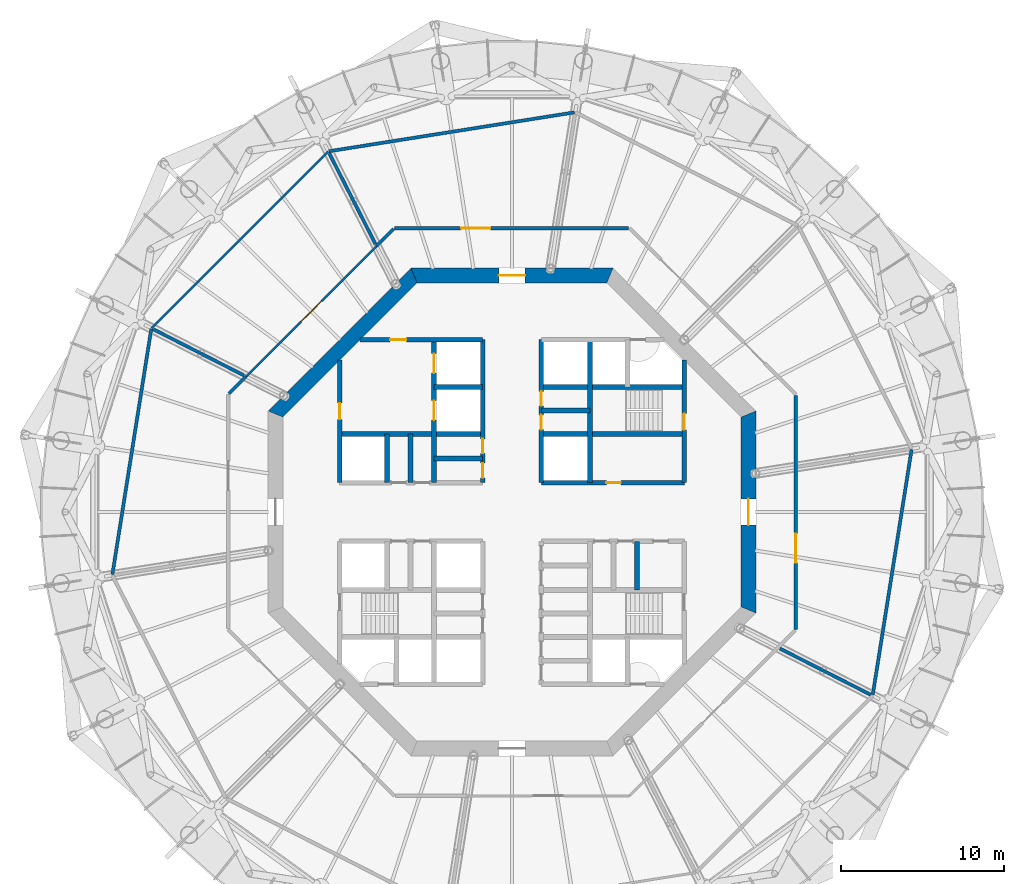
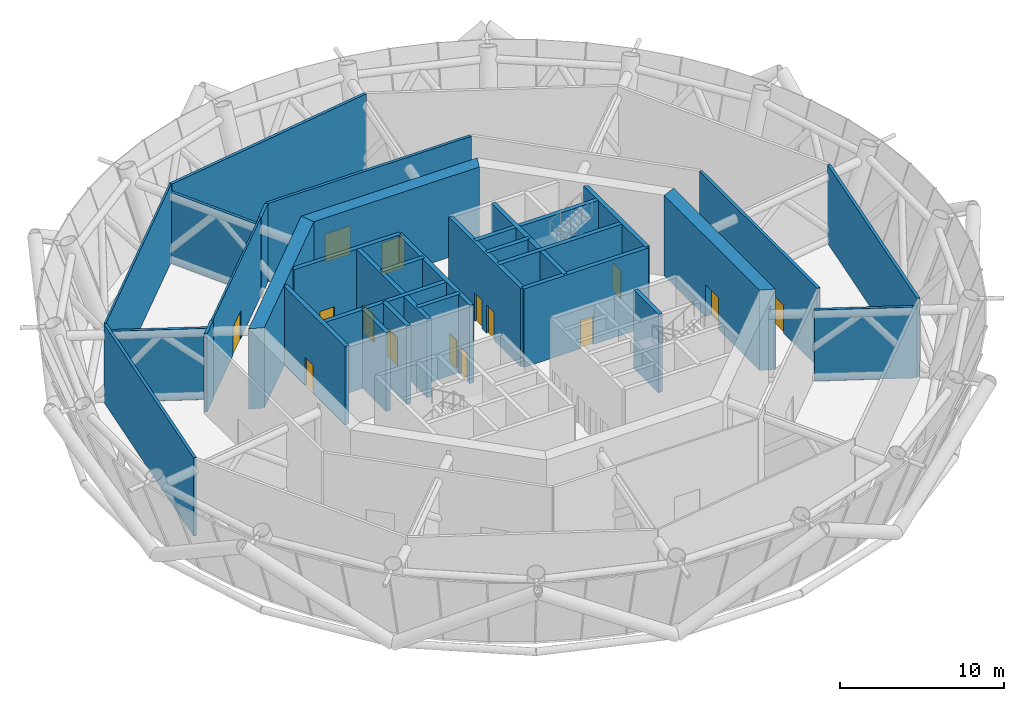
# One storey, part 9 of 15: 32 walls, 15 doors, 15 openings.
"""IFC4 building model written with IfcOpenShell, lengths in metres."""

from ifc_helpers import new_model, si_unit, direction, frame, frame_2d, origin, place, context, subcontext, project, spatial, polyline, rectangle, outline, extrude, material, layer, layer_set, type_object, element, fill, save


model = new_model("IFC4")

# Units and contexts
model_context = context("Model", 3, precision=1e-05, world=origin(), true_north=direction((0.0, 1.0)))
body_context = subcontext(model_context, "Body", "Model", "MODEL_VIEW")
ifc_project = project(units=[si_unit("LENGTHUNIT", "METRE"), si_unit("AREAUNIT", "SQUARE_METRE"), si_unit("VOLUMEUNIT", "CUBIC_METRE"), si_unit("PLANEANGLEUNIT", "RADIAN"), si_unit("MASSUNIT", "GRAM", prefix="KILO")], contexts=[model_context])

# Site, building, storey
site_placement = place(None, origin())
site = spatial("IfcSite", under=ifc_project, at=site_placement, CompositionType="ELEMENT")
building_placement = place(site_placement, origin())
building = spatial("IfcBuilding", under=site, at=building_placement, Name="Entoto Ring Tower", CompositionType="ELEMENT")
storey_placement = place(building_placement, frame((0.0, 0.0, 268.0)))
storey = spatial("IfcBuildingStorey", under=building, at=storey_placement, Name="L61", CompositionType="ELEMENT", Elevation=268.0)

# Wall, opening, door
ifc_material_1 = material(Name="Concrete C40/50", Category="concrete")
ifc_layer_1 = layer(ifc_material_1, 0.300048828125)
ifc_layer_set_1 = layer_set([ifc_layer_1], Name="Concrete C40/50")
wall_type_1 = type_object("IfcWallType", Name="Core enclosure wall 300 mm reinforced concrete", PredefinedType="SOLIDWALL", material=ifc_layer_set_1)
wall_1_placement = place(storey_placement, frame((100.60009765625, 81.800048828125, 0.0), z_axis=(0.0, 0.0, 1.0), x_axis=(0.0, 1.0, 0.0)))
wall_1 = element("IfcWall", 1, at=wall_1_placement, inside=storey, type_object=wall_type_1, Name="wall-L61-002", PredefinedType="SOLIDWALL", context=body_context, shape_type="SweptSolid", body=[
    extrude(rectangle(XDim=7.540283203125, YDim=0.300048828125, at=frame_2d((3.77001953125, 0.0))), origin(), (0.0, 0.0, 1.0), 5.85009765625),
])
opening_1_placement = place(wall_1_placement, frame((3.25, 0.0, 0.0)))
opening_1 = element("IfcOpeningElement", 2, at=opening_1_placement, cuts=wall_1, Name="Opening K-76", PredefinedType="OPENING", context=body_context, shape_type="SweptSolid", body=[
    extrude(rectangle(XDim=1.0, YDim=2.10009765625, at=frame_2d((0.5, 1.050048828125))), frame((0.0, 0.16015625, 0.0), z_axis=(0.0, -1.0, 0.0), x_axis=(1.0, 0.0, 0.0)), (0.0, 0.0, 1.0), 0.320068359375),
])
ifc_material_2 = material(Name="Steel door leaf, fire rated", Category="steel")
ifc_layer_2 = layer(ifc_material_2, 0.050048828125)
ifc_layer_set_2 = layer_set([ifc_layer_2], Name="Steel door leaf, fire rated")
door_type_1 = type_object("IfcDoorType", Name="Fire door FD60 1000 x 2100 single leaf", OperationType="NOTDEFINED", PredefinedType="DOOR", material=ifc_layer_set_2)
door_1_placement = place(opening_1_placement, origin())
door_1 = element("IfcDoor", 3, at=door_1_placement, inside=storey, type_object=door_type_1, Name="Door K-76", OperationType="SINGLE_SWING_RIGHT", OverallHeight=2.10009765625, OverallWidth=1.0, PredefinedType="DOOR", context=body_context, shape_type="SweptSolid", body=[
    extrude(rectangle(XDim=1.0, YDim=2.10009765625, at=frame_2d((0.5, 1.050048828125))), frame((0.0, 0.02490234375, 0.0), z_axis=(0.0, -1.0, 0.0), x_axis=(1.0, 0.0, 0.0)), (0.0, 0.0, 1.0), 0.050048828125),
])
fill(opening_1, door_1)

# Walls
wall_2_placement = place(storey_placement, frame((97.699951171875, 75.199951171875, 0.0), z_axis=(0.0, 0.0, 1.0), x_axis=(0.0, 1.0, 0.0)))
element("IfcWall", 4, at=wall_2_placement, inside=storey, type_object=wall_type_1, Name="wall-L61-003", PredefinedType="SOLIDWALL", context=body_context, shape_type="SweptSolid", body=[
    extrude(rectangle(XDim=3.0, YDim=0.300048828125, at=frame_2d((1.5, 0.0))), origin(), (0.0, 0.0, 1.0), 5.85009765625),
])
wall_3_placement = place(storey_placement, frame((94.800048828125, 81.800048828125, 0.0), z_axis=(0.0, 0.0, 1.0), x_axis=(0.0, 1.0, 0.0)))
element("IfcWall", 5, at=wall_3_placement, inside=storey, type_object=wall_type_1, Name="wall-L61-008", PredefinedType="SOLIDWALL", context=body_context, shape_type="SweptSolid", body=[
    extrude(rectangle(XDim=8.800048828125, YDim=0.300048828125, at=frame_2d((4.39990234375, 0.0))), origin(), (0.0, 0.0, 1.0), 5.85009765625),
])

# Wall, openings, doors
wall_4_placement = place(storey_placement, frame((91.800048828125, 81.800048828125, 0.0), z_axis=(0.0, 0.0, 1.0), x_axis=(0.0, 1.0, 0.0)))
wall_4 = element("IfcWall", 6, at=wall_4_placement, inside=storey, type_object=wall_type_1, Name="wall-L61-010", PredefinedType="SOLIDWALL", context=body_context, shape_type="SweptSolid", body=[
    extrude(rectangle(XDim=8.800048828125, YDim=0.300048828125, at=frame_2d((4.39990234375, 0.0))), origin(), (0.0, 0.0, 1.0), 5.85009765625),
])
opening_2_placement = place(wall_4_placement, frame((3.27490234375, 0.0, 0.0)))
opening_2 = element("IfcOpeningElement", 7, at=opening_2_placement, cuts=wall_4, Name="Opening K-46", PredefinedType="OPENING", context=body_context, shape_type="SweptSolid", body=[
    extrude(rectangle(XDim=0.89990234375, YDim=2.10009765625, at=frame_2d((0.449951171875, 1.050048828125))), frame((0.0, 0.16015625, 0.0), z_axis=(0.0, -1.0, 0.0), x_axis=(1.0, 0.0, 0.0)), (0.0, 0.0, 1.0), 0.320068359375),
])
opening_3_placement = place(wall_4_placement, frame((4.72509765625, 0.0, 0.0)))
opening_3 = element("IfcOpeningElement", 8, at=opening_3_placement, cuts=wall_4, Name="Opening K-14", PredefinedType="OPENING", context=body_context, shape_type="SweptSolid", body=[
    extrude(rectangle(XDim=0.89990234375, YDim=2.10009765625, at=frame_2d((0.449951171875, 1.050048828125))), frame((0.0, 0.16015625, 0.0), z_axis=(0.0, -1.0, 0.0), x_axis=(1.0, 0.0, 0.0)), (0.0, 0.0, 1.0), 0.320068359375),
])
ifc_material_3 = material(Name="Steel door leaf, fire rated", Category="steel")
ifc_layer_3 = layer(ifc_material_3, 0.050048828125)
ifc_layer_set_3 = layer_set([ifc_layer_3], Name="Steel door leaf, fire rated")
door_type_2 = type_object("IfcDoorType", Name="Core door 900 x 2100 single leaf", OperationType="NOTDEFINED", PredefinedType="DOOR", material=ifc_layer_set_3)
door_2_placement = place(opening_2_placement, origin())
door_2 = element("IfcDoor", 9, at=door_2_placement, inside=storey, type_object=door_type_2, Name="Door K-46", OperationType="SINGLE_SWING_RIGHT", OverallHeight=2.10009765625, OverallWidth=0.89990234375, PredefinedType="DOOR", context=body_context, shape_type="SweptSolid", body=[
    extrude(rectangle(XDim=0.89990234375, YDim=2.10009765625, at=frame_2d((0.449951171875, 1.050048828125))), frame((0.0, 0.02490234375, 0.0), z_axis=(0.0, -1.0, 0.0), x_axis=(1.0, 0.0, 0.0)), (0.0, 0.0, 1.0), 0.050048828125),
])
fill(opening_2, door_2)
door_3_placement = place(opening_3_placement, origin())
door_3 = element("IfcDoor", 10, at=door_3_placement, inside=storey, type_object=door_type_2, Name="Door K-14", OperationType="SINGLE_SWING_RIGHT", OverallHeight=2.10009765625, OverallWidth=0.89990234375, PredefinedType="DOOR", context=body_context, shape_type="SweptSolid", body=[
    extrude(rectangle(XDim=0.89990234375, YDim=2.10009765625, at=frame_2d((0.449951171875, 1.050048828125))), frame((0.0, 0.02490234375, 0.0), z_axis=(0.0, -1.0, 0.0), x_axis=(1.0, 0.0, 0.0)), (0.0, 0.0, 1.0), 0.050048828125),
])
fill(opening_3, door_3)

wall_5_placement = place(storey_placement, frame((88.199951171875, 81.800048828125, 0.0), z_axis=(0.0, 0.0, 1.0), x_axis=(0.0, 1.0, 0.0)))
wall_5 = element("IfcWall", 11, at=wall_5_placement, inside=storey, type_object=wall_type_1, Name="wall-L61-012", PredefinedType="SOLIDWALL", context=body_context, shape_type="SweptSolid", body=[
    extrude(rectangle(XDim=8.800048828125, YDim=0.300048828125, at=frame_2d((4.39990234375, 0.0))), origin(), (0.0, 0.0, 1.0), 5.85009765625),
])
opening_4_placement = place(wall_5_placement, frame((0.300048828125, 0.0, 0.0)))
opening_4 = element("IfcOpeningElement", 12, at=opening_4_placement, cuts=wall_5, Name="Opening K-21", PredefinedType="OPENING", context=body_context, shape_type="SweptSolid", body=[
    extrude(rectangle(XDim=0.89990234375, YDim=2.10009765625, at=frame_2d((0.449951171875, 1.050048828125))), frame((0.0, 0.16015625, 0.0), z_axis=(0.0, -1.0, 0.0), x_axis=(1.0, 0.0, 0.0)), (0.0, 0.0, 1.0), 0.320068359375),
])
opening_5_placement = place(wall_5_placement, frame((1.800048828125, 0.0, 0.0)))
opening_5 = element("IfcOpeningElement", 13, at=opening_5_placement, cuts=wall_5, Name="Opening K-69", PredefinedType="OPENING", context=body_context, shape_type="SweptSolid", body=[
    extrude(rectangle(XDim=0.89990234375, YDim=2.10009765625, at=frame_2d((0.449951171875, 1.050048828125))), frame((0.0, 0.16015625, 0.0), z_axis=(0.0, -1.0, 0.0), x_axis=(1.0, 0.0, 0.0)), (0.0, 0.0, 1.0), 0.320068359375),
])
door_4_placement = place(opening_4_placement, origin())
door_4 = element("IfcDoor", 14, at=door_4_placement, inside=storey, type_object=door_type_2, Name="Door K-21", OperationType="SINGLE_SWING_LEFT", OverallHeight=2.10009765625, OverallWidth=0.89990234375, PredefinedType="DOOR", context=body_context, shape_type="SweptSolid", body=[
    extrude(rectangle(XDim=0.89990234375, YDim=2.10009765625, at=frame_2d((0.449951171875, 1.050048828125))), frame((0.0, 0.02490234375, 0.0), z_axis=(0.0, -1.0, 0.0), x_axis=(1.0, 0.0, 0.0)), (0.0, 0.0, 1.0), 0.050048828125),
])
fill(opening_4, door_4)
door_5_placement = place(opening_5_placement, frame((0.89990234375, 0.0, 0.0), z_axis=(0.0, 0.0, 1.0), x_axis=(-1.0, 0.0, 0.0)))
door_5 = element("IfcDoor", 15, at=door_5_placement, inside=storey, type_object=door_type_2, Name="Door K-69", OperationType="SINGLE_SWING_LEFT", OverallHeight=2.10009765625, OverallWidth=0.89990234375, PredefinedType="DOOR", context=body_context, shape_type="SweptSolid", body=[
    extrude(rectangle(XDim=0.89990234375, YDim=2.10009765625, at=frame_2d((0.449951171875, 1.050048828125))), frame((0.0, 0.02490234375, 0.0), z_axis=(0.0, -1.0, 0.0), x_axis=(1.0, 0.0, 0.0)), (0.0, 0.0, 1.0), 0.050048828125),
])
fill(opening_5, door_5)

wall_6_placement = place(storey_placement, frame((85.199951171875, 81.800048828125, 0.0), z_axis=(0.0, 0.0, 1.0), x_axis=(0.0, 1.0, 0.0)))
wall_6 = element("IfcWall", 16, at=wall_6_placement, inside=storey, type_object=wall_type_1, Name="wall-L61-014", PredefinedType="SOLIDWALL", context=body_context, shape_type="SweptSolid", body=[
    extrude(rectangle(XDim=8.800048828125, YDim=0.300048828125, at=frame_2d((4.39990234375, 0.0))), origin(), (0.0, 0.0, 1.0), 5.85009765625),
])
opening_6_placement = place(wall_6_placement, frame((3.85009765625, 0.0, 0.0)))
opening_6 = element("IfcOpeningElement", 17, at=opening_6_placement, cuts=wall_6, Name="Opening LD", PredefinedType="OPENING", context=body_context, shape_type="SweptSolid", body=[
    extrude(rectangle(XDim=1.199951171875, YDim=2.10009765625, at=frame_2d((0.60009765625, 1.050048828125))), frame((0.0, 0.16015625, 0.0), z_axis=(0.0, -1.0, 0.0), x_axis=(1.0, 0.0, 0.0)), (0.0, 0.0, 1.0), 0.320068359375),
])
opening_7_placement = place(wall_6_placement, frame((6.75, 0.0, 0.0)))
opening_7 = element("IfcOpeningElement", 18, at=opening_7_placement, cuts=wall_6, Name="Opening LD", PredefinedType="OPENING", context=body_context, shape_type="SweptSolid", body=[
    extrude(rectangle(XDim=1.199951171875, YDim=2.10009765625, at=frame_2d((0.60009765625, 1.050048828125))), frame((0.0, 0.16015625, 0.0), z_axis=(0.0, -1.0, 0.0), x_axis=(1.0, 0.0, 0.0)), (0.0, 0.0, 1.0), 0.320068359375),
])
ifc_material_4 = material(Name="Steel and glass door leaf", Category="steel")
ifc_layer_4 = layer(ifc_material_4, 0.050048828125)
ifc_layer_set_4 = layer_set([ifc_layer_4], Name="Steel and glass door leaf")
door_type_3 = type_object("IfcDoorType", Name="Landing door 1200 x 2100 sliding", OperationType="DOUBLE_DOOR_SLIDING", PredefinedType="DOOR", material=ifc_layer_set_4)
door_6_placement = place(opening_6_placement, origin())
door_6 = element("IfcDoor", 19, at=door_6_placement, inside=storey, type_object=door_type_3, Name="Landing door FF1", OperationType="SLIDING_TO_RIGHT", OverallHeight=2.10009765625, OverallWidth=1.199951171875, PredefinedType="DOOR", context=body_context, shape_type="SweptSolid", body=[
    extrude(rectangle(XDim=1.199951171875, YDim=2.10009765625, at=frame_2d((0.60009765625, 1.050048828125))), frame((0.0, 0.02490234375, 0.0), z_axis=(0.0, -1.0, 0.0), x_axis=(1.0, 0.0, 0.0)), (0.0, 0.0, 1.0), 0.050048828125),
])
fill(opening_6, door_6)
door_7_placement = place(opening_7_placement, origin())
door_7 = element("IfcDoor", 20, at=door_7_placement, inside=storey, type_object=door_type_3, Name="Landing door FF2", OperationType="SLIDING_TO_RIGHT", OverallHeight=2.10009765625, OverallWidth=1.199951171875, PredefinedType="DOOR", context=body_context, shape_type="SweptSolid", body=[
    extrude(rectangle(XDim=1.199951171875, YDim=2.10009765625, at=frame_2d((0.60009765625, 1.050048828125))), frame((0.0, 0.02490234375, 0.0), z_axis=(0.0, -1.0, 0.0), x_axis=(1.0, 0.0, 0.0)), (0.0, 0.0, 1.0), 0.050048828125),
])
fill(opening_7, door_7)

# Walls
for number, where, z_axis, x_axis, name in (
    (21, (83.75, 81.800048828125, 0.0), (0.0, 0.0, 1.0), (0.0, 1.0, 0.0), "wall-L61-016"),
    (22, (82.300048828125, 81.800048828125, 0.0), (0.0, 0.0, 1.0), (0.0, 1.0, 0.0), "wall-L61-019"),
):
    element("IfcWall", number, at=place(storey_placement, frame(where, z_axis=z_axis, x_axis=x_axis)), inside=storey, type_object=wall_type_1, Name=name, PredefinedType="SOLIDWALL", context=body_context, shape_type="SweptSolid", body=[
        extrude(rectangle(XDim=3.0, YDim=0.300048828125, at=frame_2d((1.5, 0.0))), origin(), (0.0, 0.0, 1.0), 5.85009765625),
    ])

# Wall, opening, door
wall_7_placement = place(storey_placement, frame((79.39990234375, 81.800048828125, 0.0), z_axis=(0.0, 0.0, 1.0), x_axis=(0.0, 1.0, 0.0)))
wall_7 = element("IfcWall", 23, at=wall_7_placement, inside=storey, type_object=wall_type_1, Name="wall-L61-021", PredefinedType="SOLIDWALL", context=body_context, shape_type="SweptSolid", body=[
    extrude(rectangle(XDim=7.540283203125, YDim=0.300048828125, at=frame_2d((3.77001953125, 0.0))), origin(), (0.0, 0.0, 1.0), 5.85009765625),
])
opening_8_placement = place(wall_7_placement, frame((3.89990234375, 0.0, 0.0)))
opening_8 = element("IfcOpeningElement", 24, at=opening_8_placement, cuts=wall_7, Name="Opening K-31", PredefinedType="OPENING", context=body_context, shape_type="SweptSolid", body=[
    extrude(rectangle(XDim=1.0, YDim=2.10009765625, at=frame_2d((0.5, 1.050048828125))), frame((0.0, 0.16015625, 0.0), z_axis=(0.0, -1.0, 0.0), x_axis=(1.0, 0.0, 0.0)), (0.0, 0.0, 1.0), 0.320068359375),
])
door_8_placement = place(opening_8_placement, frame((1.0, 0.0, 0.0), z_axis=(0.0, 0.0, 1.0), x_axis=(-1.0, 0.0, 0.0)))
door_8 = element("IfcDoor", 25, at=door_8_placement, inside=storey, type_object=door_type_1, Name="Door K-31", OperationType="SINGLE_SWING_LEFT", OverallHeight=2.10009765625, OverallWidth=1.0, PredefinedType="DOOR", context=body_context, shape_type="SweptSolid", body=[
    extrude(rectangle(XDim=1.0, YDim=2.10009765625, at=frame_2d((0.5, 1.050048828125))), frame((0.0, 0.02490234375, 0.0), z_axis=(0.0, -1.0, 0.0), x_axis=(1.0, 0.0, 0.0)), (0.0, 0.0, 1.0), 0.050048828125),
])
fill(opening_8, door_8)

wall_8_placement = place(storey_placement, frame((91.800048828125, 81.800048828125, 0.0), z_axis=(0.0, 0.0, 1.0), x_axis=(1.0, 0.0, 0.0)))
wall_8 = element("IfcWall", 26, at=wall_8_placement, inside=storey, type_object=wall_type_1, Name="wall-L61-035", PredefinedType="SOLIDWALL", context=body_context, shape_type="SweptSolid", body=[
    extrude(rectangle(XDim=8.800048828125, YDim=0.300048828125, at=frame_2d((4.39990234375, 0.0))), origin(), (0.0, 0.0, 1.0), 5.85009765625),
])
opening_9_placement = place(wall_8_placement, frame((4.0, 0.0, 0.0)))
opening_9 = element("IfcOpeningElement", 27, at=opening_9_placement, cuts=wall_8, Name="Opening K-05", PredefinedType="OPENING", context=body_context, shape_type="SweptSolid", body=[
    extrude(rectangle(XDim=0.89990234375, YDim=2.10009765625, at=frame_2d((0.449951171875, 1.050048828125))), frame((0.0, 0.16015625, 0.0), z_axis=(0.0, -1.0, 0.0), x_axis=(1.0, 0.0, 0.0)), (0.0, 0.0, 1.0), 0.320068359375),
])
door_9_placement = place(opening_9_placement, frame((0.89990234375, 0.0, 0.0), z_axis=(0.0, 0.0, 1.0), x_axis=(-1.0, 0.0, 0.0)))
door_9 = element("IfcDoor", 28, at=door_9_placement, inside=storey, type_object=door_type_2, Name="Door K-05", OperationType="SINGLE_SWING_LEFT", OverallHeight=2.10009765625, OverallWidth=0.89990234375, PredefinedType="DOOR", context=body_context, shape_type="SweptSolid", body=[
    extrude(rectangle(XDim=0.89990234375, YDim=2.10009765625, at=frame_2d((0.449951171875, 1.050048828125))), frame((0.0, 0.02490234375, 0.0), z_axis=(0.0, -1.0, 0.0), x_axis=(1.0, 0.0, 0.0)), (0.0, 0.0, 1.0), 0.050048828125),
])
fill(opening_9, door_9)

# Walls
wall_9_placement = place(storey_placement, frame((85.199951171875, 83.300048828125, 0.0), z_axis=(0.0, 0.0, 1.0), x_axis=(1.0, 0.0, 0.0)))
element("IfcWall", 29, at=wall_9_placement, inside=storey, type_object=wall_type_1, Name="wall-L61-036", PredefinedType="SOLIDWALL", context=body_context, shape_type="SweptSolid", body=[
    extrude(rectangle(XDim=3.0, YDim=0.300048828125, at=frame_2d((1.5, 0.0))), origin(), (0.0, 0.0, 1.0), 5.85009765625),
])
for number, where, z_axis, x_axis, name in (
    (30, (79.39990234375, 84.800048828125, 0.0), (0.0, 0.0, 1.0), (1.0, 0.0, 0.0), "wall-L61-037"),
    (31, (91.800048828125, 84.800048828125, 0.0), (0.0, 0.0, 1.0), (1.0, 0.0, 0.0), "wall-L61-038"),
):
    element("IfcWall", number, at=place(storey_placement, frame(where, z_axis=z_axis, x_axis=x_axis)), inside=storey, type_object=wall_type_1, Name=name, PredefinedType="SOLIDWALL", context=body_context, shape_type="SweptSolid", body=[
        extrude(rectangle(XDim=8.800048828125, YDim=0.300048828125, at=frame_2d((4.39990234375, 0.0))), origin(), (0.0, 0.0, 1.0), 5.85009765625),
    ])
for number, where, z_axis, x_axis, name in (
    (32, (91.800048828125, 86.25, 0.0), (0.0, 0.0, 1.0), (1.0, 0.0, 0.0), "wall-L61-039"),
    (33, (85.199951171875, 87.699951171875, 0.0), (0.0, 0.0, 1.0), (1.0, 0.0, 0.0), "wall-L61-040"),
):
    element("IfcWall", number, at=place(storey_placement, frame(where, z_axis=z_axis, x_axis=x_axis)), inside=storey, type_object=wall_type_1, Name=name, PredefinedType="SOLIDWALL", context=body_context, shape_type="SweptSolid", body=[
        extrude(rectangle(XDim=3.0, YDim=0.300048828125, at=frame_2d((1.5, 0.0))), origin(), (0.0, 0.0, 1.0), 5.85009765625),
    ])
wall_10_placement = place(storey_placement, frame((91.800048828125, 87.699951171875, 0.0), z_axis=(0.0, 0.0, 1.0), x_axis=(1.0, 0.0, 0.0)))
element("IfcWall", 34, at=wall_10_placement, inside=storey, type_object=wall_type_1, Name="wall-L61-041", PredefinedType="SOLIDWALL", context=body_context, shape_type="SweptSolid", body=[
    extrude(rectangle(XDim=8.800048828125, YDim=0.300048828125, at=frame_2d((4.39990234375, 0.0))), origin(), (0.0, 0.0, 1.0), 5.85009765625),
])

# Wall, opening, door
wall_11_placement = place(storey_placement, frame((80.65966796875, 90.60009765625, 0.0), z_axis=(0.0, 0.0, 1.0), x_axis=(1.0, 0.0, 0.0)))
wall_11 = element("IfcWall", 35, at=wall_11_placement, inside=storey, type_object=wall_type_1, Name="wall-L61-042", PredefinedType="SOLIDWALL", context=body_context, shape_type="SweptSolid", body=[
    extrude(rectangle(XDim=7.540283203125, YDim=0.300048828125, at=frame_2d((3.77001953125, 0.0))), origin(), (0.0, 0.0, 1.0), 5.85009765625),
])
opening_10_placement = place(wall_11_placement, frame((1.84033203125, 0.0, 0.0)))
opening_10 = element("IfcOpeningElement", 36, at=opening_10_placement, cuts=wall_11, Name="Opening K-86", PredefinedType="OPENING", context=body_context, shape_type="SweptSolid", body=[
    extrude(rectangle(XDim=1.0, YDim=2.10009765625, at=frame_2d((0.5, 1.050048828125))), frame((0.0, 0.16015625, 0.0), z_axis=(0.0, -1.0, 0.0), x_axis=(1.0, 0.0, 0.0)), (0.0, 0.0, 1.0), 0.320068359375),
])
door_10_placement = place(opening_10_placement, frame((1.0, 0.0, 0.0), z_axis=(0.0, 0.0, 1.0), x_axis=(-1.0, 0.0, 0.0)))
door_10 = element("IfcDoor", 37, at=door_10_placement, inside=storey, type_object=door_type_1, Name="Door K-86", OperationType="SINGLE_SWING_RIGHT", OverallHeight=2.10009765625, OverallWidth=1.0, PredefinedType="DOOR", context=body_context, shape_type="SweptSolid", body=[
    extrude(rectangle(XDim=1.0, YDim=2.10009765625, at=frame_2d((0.5, 1.050048828125))), frame((0.0, 0.02490234375, 0.0), z_axis=(0.0, -1.0, 0.0), x_axis=(1.0, 0.0, 0.0)), (0.0, 0.0, 1.0), 0.050048828125),
])
fill(opening_10, door_10)

ifc_material_5 = material(Name="Concrete C50/60", Category="concrete")
ifc_layer_5 = layer(ifc_material_5, 0.89990234375)
ifc_layer_set_5 = layer_set([ifc_layer_5], Name="Concrete C50/60")
wall_type_2 = type_object("IfcWallType", Name="Core shear wall 900 mm reinforced concrete C50/60", PredefinedType="SHEAR", material=ifc_layer_set_5)
wall_12_placement = place(storey_placement, frame((104.550048828125, 73.97314453125, 0.0), z_axis=(0.0, 0.0, 1.0), x_axis=(0.0, 1.0, 0.0)))
wall_12 = element("IfcWall", 38, at=wall_12_placement, inside=storey, type_object=wall_type_2, Name="wall-L61-core-0", PredefinedType="SHEAR", context=body_context, shape_type="SweptSolid", body=[
    extrude(outline(polyline([(-0.186279296875, -0.449951171875), (12.239990234375, -0.449951171875), (11.867431640625, 0.449951171875), (0.186279296875, 0.449951171875), (-0.186279296875, -0.449951171875)])), origin(), (0.0, 0.0, 1.0), 6.0),
])
opening_11_placement = place(wall_12_placement, frame((5.226806640625, 0.0, 0.0)))
opening_11 = element("IfcOpeningElement", 39, at=opening_11_placement, cuts=wall_12, Name="Opening K-01", PredefinedType="OPENING", context=body_context, shape_type="SweptSolid", body=[
    extrude(rectangle(XDim=1.60009765625, YDim=2.39990234375, at=frame_2d((0.800048828125, 1.199951171875))), frame((0.0, 0.4599609375, 0.0), z_axis=(0.0, -1.0, 0.0), x_axis=(1.0, 0.0, 0.0)), (0.0, 0.0, 1.0), 0.919921875),
])
ifc_material_6 = material(Name="Steel door leaf, fire rated", Category="steel")
ifc_layer_6 = layer(ifc_material_6, 0.050048828125)
ifc_layer_set_6 = layer_set([ifc_layer_6], Name="Steel door leaf, fire rated")
door_type_4 = type_object("IfcDoorType", Name="Entrance door FD60 1600 x 2400 double leaf", OperationType="DOUBLE_DOOR_SINGLE_SWING", PredefinedType="DOOR", material=ifc_layer_set_6)
door_11_placement = place(opening_11_placement, origin())
door_11 = element("IfcDoor", 40, at=door_11_placement, inside=storey, type_object=door_type_4, Name="Entrance door K-01", OperationType="DOUBLE_DOOR_SINGLE_SWING", OverallHeight=2.39990234375, OverallWidth=1.60009765625, PredefinedType="DOOR", context=body_context, shape_type="SweptSolid", body=[
    extrude(rectangle(XDim=1.60009765625, YDim=2.39990234375, at=frame_2d((0.800048828125, 1.199951171875))), frame((0.0, 0.02490234375, 0.0), z_axis=(0.0, -1.0, 0.0), x_axis=(1.0, 0.0, 0.0)), (0.0, 0.0, 1.0), 0.050048828125),
])
fill(opening_11, door_11)

wall_13_placement = place(storey_placement, frame((96.02685546875, 94.550048828125, 0.0), z_axis=(0.0, 0.0, 1.0), x_axis=(-1.0, 0.0, 0.0)))
wall_13 = element("IfcWall", 41, at=wall_13_placement, inside=storey, type_object=wall_type_2, Name="wall-L61-core-2", PredefinedType="SHEAR", context=body_context, shape_type="SweptSolid", body=[
    extrude(outline(polyline([(-0.186279296875, -0.449951171875), (12.239990234375, -0.449951171875), (11.867431640625, 0.449951171875), (0.186279296875, 0.449951171875), (-0.186279296875, -0.449951171875)])), origin(), (0.0, 0.0, 1.0), 6.0),
])
opening_12_placement = place(wall_13_placement, frame((5.226806640625, 0.0, 0.0)))
opening_12 = element("IfcOpeningElement", 42, at=opening_12_placement, cuts=wall_13, Name="Opening K-02", PredefinedType="OPENING", context=body_context, shape_type="SweptSolid", body=[
    extrude(rectangle(XDim=1.60009765625, YDim=2.39990234375, at=frame_2d((0.800048828125, 1.199951171875))), frame((0.0, 0.4599609375, 0.0), z_axis=(0.0, -1.0, 0.0), x_axis=(1.0, 0.0, 0.0)), (0.0, 0.0, 1.0), 0.919921875),
])
door_12_placement = place(opening_12_placement, origin())
door_12 = element("IfcDoor", 43, at=door_12_placement, inside=storey, type_object=door_type_4, Name="Entrance door K-02", OperationType="DOUBLE_DOOR_SINGLE_SWING", OverallHeight=2.39990234375, OverallWidth=1.60009765625, PredefinedType="DOOR", context=body_context, shape_type="SweptSolid", body=[
    extrude(rectangle(XDim=1.60009765625, YDim=2.39990234375, at=frame_2d((0.800048828125, 1.199951171875))), frame((0.0, 0.02490234375, 0.0), z_axis=(0.0, -1.0, 0.0), x_axis=(1.0, 0.0, 0.0)), (0.0, 0.0, 1.0), 0.050048828125),
])
fill(opening_12, door_12)

# Walls
wall_14_placement = place(storey_placement, frame((83.97314453125, 94.550048828125, 0.0), z_axis=(0.0, 0.0, 1.0), x_axis=(-0.707106781187, -0.707106781187, 0.0)))
element("IfcWall", 44, at=wall_14_placement, inside=storey, type_object=wall_type_2, Name="wall-L61-core-3", PredefinedType="SHEAR", context=body_context, shape_type="SweptSolid", body=[
    extrude(outline(polyline([(-0.186279296875, -0.449951171875), (12.239990234375, -0.449951171875), (11.867431640625, 0.449951171875), (0.186279296875, 0.449951171875), (-0.186279296875, -0.449951171875)])), origin(), (0.0, 0.0, 1.0), 6.0),
])
ifc_material_7 = material(Name="Fire-resisting plasterboard on steel studs", Category="steel")
ifc_layer_7 = layer(ifc_material_7, 0.125)
ifc_layer_set_7 = layer_set([ifc_layer_7], Name="Fire-resisting plasterboard on steel studs")
wall_type_3 = type_object("IfcWallType", Name="Corridor wall 125 mm one-hour plasterboard on steel studs", PredefinedType="PARTITIONING", material=ifc_layer_set_7)
wall_15_placement = place(storey_placement, frame((67.81396484375, 91.304443359375, 0.0), z_axis=(0.0, 0.0, 1.0), x_axis=(0.707106781187, 0.707106781187, 0.0)))
element("IfcWall", 45, at=wall_15_placement, inside=storey, type_object=wall_type_3, Name="partition-L61-001", PredefinedType="PARTITIONING", context=body_context, shape_type="SweptSolid", body=[
    extrude(rectangle(XDim=15.388916015625, YDim=0.125, at=frame_2d((7.6943359375, 0.0))), origin(), (0.0, 0.0, 1.0), 5.85009765625),
])

# Wall, opening, door
wall_16_placement = place(storey_placement, frame((73.64013671875, 88.335693359375, 0.0), z_axis=(0.0, 0.0, 1.0), x_axis=(0.707106781187, 0.707106781187, 0.0)))
wall_16 = element("IfcWall", 46, at=wall_16_placement, inside=storey, type_object=wall_type_3, Name="partition-L61-003", PredefinedType="PARTITIONING", context=body_context, shape_type="SweptSolid", body=[
    extrude(rectangle(XDim=11.347900390625, YDim=0.125, at=frame_2d((5.673828125, 0.0))), origin(), (0.0, 0.0, 1.0), 5.85009765625),
])
opening_13_placement = place(wall_16_placement, frame((4.77392578125, 0.0, 0.0)))
opening_13 = element("IfcOpeningElement", 47, at=opening_13_placement, cuts=wall_16, Name="Opening A27-D04", PredefinedType="OPENING", context=body_context, shape_type="SweptSolid", body=[
    extrude(rectangle(XDim=1.800048828125, YDim=2.10009765625, at=frame_2d((0.89990234375, 1.050048828125))), frame((0.0, 0.072509765625, 0.0), z_axis=(0.0, -1.0, 0.0), x_axis=(1.0, 0.0, 0.0)), (0.0, 0.0, 1.0), 0.14501953125),
])
ifc_material_8 = material(Name="Fire-resisting timber door set", Category="wood")
door_type_5 = type_object("IfcDoorType", Name="Door 1800 x 2100 double leaf FD30S fire door", OperationType="DOUBLE_DOOR_SINGLE_SWING", PredefinedType="DOOR", material=ifc_material_8)
door_13_placement = place(opening_13_placement, origin())
door_13 = element("IfcDoor", 48, at=door_13_placement, inside=storey, type_object=door_type_5, Name="Door A27-D04", OperationType="DOUBLE_DOOR_SINGLE_SWING", OverallHeight=2.10009765625, OverallWidth=1.800048828125, PredefinedType="DOOR", context=body_context, shape_type="SweptSolid", body=[
    extrude(rectangle(XDim=1.800048828125, YDim=2.10009765625, at=frame_2d((0.89990234375, 1.050048828125))), frame((0.0, 0.02490234375, 0.0), z_axis=(0.0, -1.0, 0.0), x_axis=(1.0, 0.0, 0.0)), (0.0, 0.0, 1.0), 0.050048828125),
])
fill(opening_13, door_13)

# Walls
ifc_material_9 = material(Name="Concrete C20/25", Category="concrete")
ifc_layer_8 = layer(ifc_material_9, 0.199951171875)
ifc_layer_set_8 = layer_set([ifc_layer_8], Name="Concrete C20/25")
wall_type_4 = type_object("IfcWallType", Name="Plant room wall 200 mm two-hour concrete", PredefinedType="PARTITIONING", material=ifc_layer_set_8)
for number, where, z_axis, x_axis, name in (
    (49, (65.415771484375, 76.16259765625, 0.0), (0.0, 0.0, 1.0), (0.156423245387, 0.987690117548, 0.0), "partition-L61-011"),
    (50, (78.731689453125, 102.19189453125, 0.0), (0.0, 0.0, 1.0), (0.987690117548, 0.156423245387, 0.0), "partition-L61-012"),
):
    element("IfcWall", number, at=place(storey_placement, frame(where, z_axis=z_axis, x_axis=x_axis)), inside=storey, type_object=wall_type_4, Name=name, PredefinedType="PARTITIONING", context=body_context, shape_type="SweptSolid", body=[
        extrude(rectangle(XDim=15.2939453125, YDim=0.199951171875, at=frame_2d((7.64697265625, 0.0))), origin(), (0.0, 0.0, 1.0), 5.85009765625),
    ])
wall_17_placement = place(storey_placement, frame((112.1953125, 68.75341796875, 0.0), z_axis=(0.0, 0.0, 1.0), x_axis=(0.156424729703, 0.987689882472, 0.0)))
element("IfcWall", 51, at=wall_17_placement, inside=storey, type_object=wall_type_4, Name="partition-L61-013", PredefinedType="PARTITIONING", context=body_context, shape_type="SweptSolid", body=[
    extrude(rectangle(XDim=15.27197265625, YDim=0.199951171875, at=frame_2d((7.635986328125, 0.0))), origin(), (0.0, 0.0, 1.0), 5.85009765625),
])

# Wall, opening, door
wall_18_placement = place(storey_placement, frame((82.766845703125, 97.46240234375, 0.0), z_axis=(0.0, 0.0, 1.0), x_axis=(1.0, 0.0, 0.0)))
wall_18 = element("IfcWall", 52, at=wall_18_placement, inside=storey, type_object=wall_type_4, Name="partition-L61-017", PredefinedType="PARTITIONING", context=body_context, shape_type="SweptSolid", body=[
    extrude(rectangle(XDim=14.395751953125, YDim=0.199951171875, at=frame_2d((7.19775390625, 0.0))), origin(), (0.0, 0.0, 1.0), 5.85009765625),
])
opening_14_placement = place(wall_18_placement, frame((4.099609375, 0.0, 0.0)))
opening_14 = element("IfcOpeningElement", 53, at=opening_14_placement, cuts=wall_18, Name="Opening A27-D03", PredefinedType="OPENING", context=body_context, shape_type="SweptSolid", body=[
    extrude(rectangle(XDim=1.800048828125, YDim=2.10009765625, at=frame_2d((0.89990234375, 1.050048828125))), frame((0.0, 0.10986328125, 0.0), z_axis=(0.0, -1.0, 0.0), x_axis=(1.0, 0.0, 0.0)), (0.0, 0.0, 1.0), 0.219970703125),
])
ifc_material_10 = material(Name="Fire-resisting steel door set", Category="steel")
door_type_6 = type_object("IfcDoorType", Name="Door 1800 x 2100 double leaf FD60 steel door", OperationType="DOUBLE_DOOR_SINGLE_SWING", PredefinedType="DOOR", material=ifc_material_10)
door_14_placement = place(opening_14_placement, origin())
door_14 = element("IfcDoor", 54, at=door_14_placement, inside=storey, type_object=door_type_6, Name="Door A27-D03", OperationType="DOUBLE_DOOR_SINGLE_SWING", OverallHeight=2.10009765625, OverallWidth=1.800048828125, PredefinedType="DOOR", context=body_context, shape_type="SweptSolid", body=[
    extrude(rectangle(XDim=1.800048828125, YDim=2.10009765625, at=frame_2d((0.89990234375, 1.050048828125))), frame((0.0, 0.02490234375, 0.0), z_axis=(0.0, -1.0, 0.0), x_axis=(1.0, 0.0, 0.0)), (0.0, 0.0, 1.0), 0.050048828125),
])
fill(opening_14, door_14)

wall_19_placement = place(storey_placement, frame((107.46240234375, 72.766845703125, 0.0), z_axis=(0.0, 0.0, 1.0), x_axis=(0.0, 1.0, 0.0)))
wall_19 = element("IfcWall", 55, at=wall_19_placement, inside=storey, type_object=wall_type_4, Name="partition-L61-018", PredefinedType="PARTITIONING", context=body_context, shape_type="SweptSolid", body=[
    extrude(rectangle(XDim=14.395751953125, YDim=0.199951171875, at=frame_2d((7.19775390625, 0.0))), origin(), (0.0, 0.0, 1.0), 5.85009765625),
])
opening_15_placement = place(wall_19_placement, frame((4.099609375, 0.0, 0.0)))
opening_15 = element("IfcOpeningElement", 56, at=opening_15_placement, cuts=wall_19, Name="Opening A27-D10", PredefinedType="OPENING", context=body_context, shape_type="SweptSolid", body=[
    extrude(rectangle(XDim=1.800048828125, YDim=2.10009765625, at=frame_2d((0.89990234375, 1.050048828125))), frame((0.0, 0.10986328125, 0.0), z_axis=(0.0, -1.0, 0.0), x_axis=(1.0, 0.0, 0.0)), (0.0, 0.0, 1.0), 0.219970703125),
])
door_15_placement = place(opening_15_placement, frame((1.800048828125, 0.0, 0.0), z_axis=(0.0, 0.0, 1.0), x_axis=(-1.0, 0.0, 0.0)))
door_15 = element("IfcDoor", 57, at=door_15_placement, inside=storey, type_object=door_type_6, Name="Door A27-D10", OperationType="DOUBLE_DOOR_SINGLE_SWING", OverallHeight=2.10009765625, OverallWidth=1.800048828125, PredefinedType="DOOR", context=body_context, shape_type="SweptSolid", body=[
    extrude(rectangle(XDim=1.800048828125, YDim=2.10009765625, at=frame_2d((0.89990234375, 1.050048828125))), frame((0.0, 0.02490234375, 0.0), z_axis=(0.0, -1.0, 0.0), x_axis=(1.0, 0.0, 0.0)), (0.0, 0.0, 1.0), 0.050048828125),
])
fill(opening_15, door_15)

# Walls
for number, where, z_axis, x_axis, name in (
    (58, (72.58740234375, 87.283203125, 0.0), (0.0, 0.0, 1.0), (0.707188778841, 0.707024774022, 0.0), "partition-L61-031"),
    (59, (81.664306640625, 96.35986328125, 0.0), (0.0, 0.0, 1.0), (0.707024774022, 0.707188778841, 0.0), "partition-L61-032"),
):
    element("IfcWall", number, at=place(storey_placement, frame(where, z_axis=z_axis, x_axis=x_axis)), inside=storey, type_object=wall_type_4, Name=name, PredefinedType="PARTITIONING", context=body_context, shape_type="SweptSolid", body=[
        extrude(rectangle(XDim=1.488525390625, YDim=0.199951171875, at=frame_2d((0.744140625, 0.0))), origin(), (0.0, 0.0, 1.0), 5.85009765625),
    ])
ifc_material_11 = material(Name="Concrete C20/25", Category="concrete")
ifc_layer_9 = layer(ifc_material_11, 0.199951171875)
ifc_layer_set_9 = layer_set([ifc_layer_9], Name="Concrete C20/25")
wall_type_5 = type_object("IfcWallType", Name="Plant room wall 200 mm two-hour concrete, 5300 mm high", PredefinedType="PARTITIONING", material=ifc_layer_set_9)
for number, where, z_axis, x_axis, name in (
    (60, (73.517578125, 88.398193359375, 0.0), (0.0, 0.0, 1.0), (-0.891010643763, 0.453982414529, 0.0), "partition-L61-026"),
    (61, (81.601806640625, 96.482421875, 0.0), (0.0, 0.0, 1.0), (-0.453982414529, 0.891010643763, 0.0), "partition-L61-027"),
    (62, (112.063720703125, 68.758056640625, 0.0), (0.0, 0.0, 1.0), (-0.891010643763, 0.453982414529, 0.0), "partition-L61-029"),
):
    element("IfcWall", number, at=place(storey_placement, frame(where, z_axis=z_axis, x_axis=x_axis)), inside=storey, type_object=wall_type_5, Name=name, PredefinedType="PARTITIONING", context=body_context, shape_type="SweptSolid", body=[
        extrude(rectangle(XDim=6.263916015625, YDim=0.199951171875, at=frame_2d((3.1318359375, 0.0))), origin(), (0.0, 0.0, 1.0), 5.300048828125),
    ])

save(model, "model.ifc")
